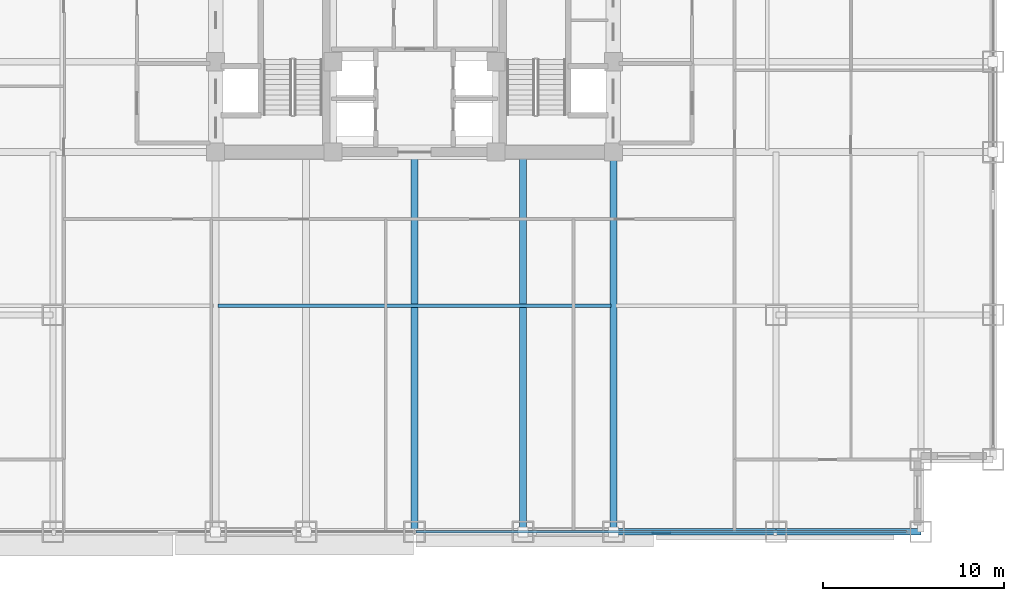
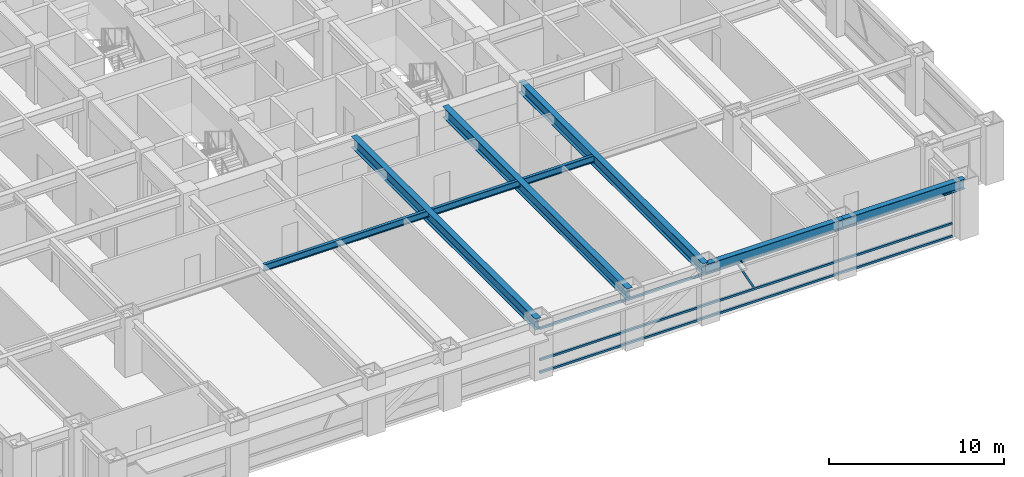
# One storey, part 5 of 32: 6 beams, 4 members, 1 element without a shape of its own.
"""IFC4 building model written with IfcOpenShell, lengths in metres."""

from ifc_helpers import new_model, si_unit, direction, frame, origin, origin_2d, place, context, subcontext, project, spatial, hollow_rectangle, i_section, extrude, source, transform, mapped, material, material_profile, profile_set, type_object, element, aggregate, save


model = new_model("IFC4")

# Units and contexts
model_context = context("Model", 3, precision=1e-05, world=origin(), true_north=direction((0.0, 1.0)))
body_context = subcontext(model_context, "Body", "Model", "MODEL_VIEW")
ifc_project = project(units=[si_unit("LENGTHUNIT", "METRE"), si_unit("AREAUNIT", "SQUARE_METRE"), si_unit("VOLUMEUNIT", "CUBIC_METRE"), si_unit("PLANEANGLEUNIT", "RADIAN"), si_unit("MASSUNIT", "GRAM", prefix="KILO")], contexts=[model_context])

# Site, building, storey
site_placement = place(None, origin())
site = spatial("IfcSite", under=ifc_project, at=site_placement, CompositionType="ELEMENT")
building_placement = place(site_placement, origin())
building = spatial("IfcBuilding", under=site, at=building_placement, Name="Khorayat Bourse Tower", CompositionType="ELEMENT")
storey_placement = place(building_placement, frame((0.0, 0.0, 136.5)))
storey = spatial("IfcBuildingStorey", under=building, at=storey_placement, Name="L31", CompositionType="ELEMENT", Elevation=136.5)

# Beams
ifc_material_1 = material(Name="Steel ASTM A992 Grade 50", Category="steel")
ifc_material_profile_1 = material_profile(ifc_material_1, i_section(OverallWidth=0.35498046875, OverallDepth=0.695068359375, WebThickness=0.015380859375, FlangeThickness=0.02490234375, FilletRadius=0.01806640625, at=origin_2d()), Name="W690X217")
ifc_profile_set_1 = profile_set([ifc_material_profile_1], Name="Steel ASTM A992 Grade 50")
beam_type_1 = type_object("IfcBeamType", Name="BM-SPAN-690", PredefinedType="SPANDREL", material=ifc_profile_set_1)
shared_shape_1 = source(origin(), body_context, "Body", "SweptSolid", [
    extrude(i_section(OverallWidth=0.35498046875, OverallDepth=0.695068359375, WebThickness=0.015380859375, FlangeThickness=0.02490234375, FilletRadius=0.01806640625, at=origin_2d()), origin(), (0.0, 0.0, 1.0), 9.0),
])
beam_1_placement = place(storey_placement, frame((11.0, -32.0, 3.492431640625), z_axis=(1.0, 0.0, 0.0), x_axis=(0.0, 1.0, 0.0)))
element("IfcBeam", 1, at=beam_1_placement, inside=storey, type_object=beam_type_1, Name="L31 BM-SPAN-690 BM-L31-SPN-030", PredefinedType="SPANDREL", context=body_context, shape_type="MappedRepresentation", body=[
    mapped(shared_shape_1, transform((0.0, 0.0, 0.0), scale=1.0)),
])
ifc_material_profile_2 = material_profile(ifc_material_1, i_section(OverallWidth=0.194091796875, OverallDepth=0.468994140625, WebThickness=0.0126953125, FlangeThickness=0.0205078125, FilletRadius=0.012939453125, at=origin_2d()), Name="W460X106")
ifc_profile_set_2 = profile_set([ifc_material_profile_2], Name="Steel ASTM A992 Grade 50")
beam_type_2 = type_object("IfcBeamType", Name="BM-JOIST-460", PredefinedType="JOIST", material=ifc_profile_set_2)
shared_shape_2 = source(origin(), body_context, "Body", "SweptSolid", [
    extrude(i_section(OverallWidth=0.194091796875, OverallDepth=0.468994140625, WebThickness=0.0126953125, FlangeThickness=0.0205078125, FilletRadius=0.012939453125, at=origin_2d()), origin(), (0.0, 0.0, 1.0), 21.740234375),
])
beam_2_placement = place(storey_placement, frame((-10.8701171875, -19.5, 3.60546875), z_axis=(1.0, 0.0, 0.0), x_axis=(0.0, 1.0, 0.0)))
element("IfcBeam", 2, at=beam_2_placement, inside=storey, type_object=beam_type_2, Name="L31 BM-JOIST-460 BM-L31-JSTX-097", PredefinedType="JOIST", context=body_context, shape_type="MappedRepresentation", body=[
    mapped(shared_shape_2, transform((0.0, 0.0, 0.0), scale=1.0)),
])
shared_shape_3 = source(origin(), body_context, "Body", "SweptSolid", [
    extrude(i_section(OverallWidth=0.35498046875, OverallDepth=0.695068359375, WebThickness=0.015380859375, FlangeThickness=0.02490234375, FilletRadius=0.01806640625, at=origin_2d()), origin(), (0.0, 0.0, 1.0), 8.0),
])
beam_3_placement = place(storey_placement, frame((20.0, -32.0, 3.492431640625), z_axis=(1.0, 0.0, 0.0), x_axis=(0.0, 1.0, 0.0)))
element("IfcBeam", 3, at=beam_3_placement, inside=storey, type_object=beam_type_1, Name="L31 BM-SPAN-690 BM-L31-SPN-031", PredefinedType="SPANDREL", context=body_context, shape_type="MappedRepresentation", body=[
    mapped(shared_shape_3, transform((0.0, 0.0, 0.0), scale=1.0)),
])
ifc_material_profile_3 = material_profile(ifc_material_1, i_section(OverallWidth=0.381103515625, OverallDepth=0.77294921875, WebThickness=0.0166015625, FlangeThickness=0.027587890625, FilletRadius=0.01806640625, at=origin_2d()), Name="W760X257")
ifc_profile_set_3 = profile_set([ifc_material_profile_3], Name="Steel ASTM A992 Grade 50")
beam_type_3 = type_object("IfcBeamType", Name="BM-GIRD-760", PredefinedType="BEAM", material=ifc_profile_set_3)
shared_shape_4 = source(origin(), body_context, "Body", "SweptSolid", [
    extrude(i_section(OverallWidth=0.381103515625, OverallDepth=0.77294921875, WebThickness=0.0166015625, FlangeThickness=0.027587890625, FilletRadius=0.01806640625, at=origin_2d()), origin(), (0.0, 0.0, 1.0), 21.0),
])
for number, where, z_axis, x_axis, name in (
    (4, (0.0, -32.0, 3.45361328125), (0.0, 1.0, 0.0), (-1.0, 0.0, 0.0), "L31 BM-GIRD-760 BM-L31-RADY-069"),
    (5, (6.0, -32.0, 3.45361328125), (0.0, 1.0, 0.0), (-1.0, 0.0, 0.0), "L31 BM-GIRD-760 BM-L31-RADY-071"),
    (6, (11.0, -32.0, 3.45361328125), (0.0, 1.0, 0.0), (-1.0, 0.0, 0.0), "L31 BM-GIRD-760 BM-L31-RADY-073"),
):
    element("IfcBeam", number, at=place(storey_placement, frame(where, z_axis=z_axis, x_axis=x_axis)), inside=storey, type_object=beam_type_3, Name=name, PredefinedType="BEAM", context=body_context, shape_type="MappedRepresentation", body=[
        mapped(shared_shape_4, transform((0.0, 0.0, 0.0), scale=1.0)),
    ])

# Curtain wall, members
ifc_material_2 = material(Name="Aluminium EN AW-6063 T6", Category="aluminium")
curtain_wall_type = type_object("IfcCurtainWallType", Name="CW-SYS-02", PredefinedType="NOTDEFINED", material=ifc_material_2)
curtain_wall_placement = place(storey_placement, origin())
curtain_wall = element("IfcCurtainWall", 7, at=curtain_wall_placement, inside=storey, type_object=curtain_wall_type, Name="L31 Curtain Wall CW-L31-S1", PredefinedType="NOTDEFINED")
ifc_material_profile_4 = material_profile(ifc_material_2, hollow_rectangle(XDim=0.139892578125, YDim=0.139892578125, WallThickness=0.006103515625, at=origin_2d()), Name="ALU 140x140x6")
ifc_profile_set_4 = profile_set([ifc_material_profile_4], Name="Aluminium EN AW-6063 T6")
member_type_1 = type_object("IfcMemberType", Name="CWT-HORZ-140", PredefinedType="USERDEFINED", material=ifc_profile_set_4)
shared_shape_5 = source(origin(), body_context, "Body", "SweptSolid", [
    extrude(hollow_rectangle(XDim=0.139892578125, YDim=0.139892578125, WallThickness=0.006103515625, at=origin_2d()), origin(), (0.0, 0.0, 1.0), 27.139892578125),
])
member_1_placement = place(storey_placement, frame((0.070068359375, -32.0, 0.070068359375), z_axis=(1.0, 0.0, 0.0), x_axis=(0.0, 1.0, 0.0)))
member_1 = element("IfcMember", 8, at=member_1_placement, type_object=member_type_1, Name="CW-L31-S1 Horizontal Transom 2-1", ObjectType="TRANSOM", PredefinedType="USERDEFINED", context=body_context, shape_type="MappedRepresentation", body=[
    mapped(shared_shape_5, transform((0.0, 0.0, 0.0), scale=1.0)),
])
member_2_placement = place(storey_placement, frame((0.070068359375, -32.0, 0.949951171875), z_axis=(1.0, 0.0, 0.0), x_axis=(0.0, 1.0, 0.0)))
member_2 = element("IfcMember", 9, at=member_2_placement, type_object=member_type_1, Name="CW-L31-S1 Horizontal Transom 2-2", ObjectType="TRANSOM", PredefinedType="USERDEFINED", context=body_context, shape_type="MappedRepresentation", body=[
    mapped(shared_shape_5, transform((0.0, 0.0, 0.0), scale=1.0)),
])
member_3_placement = place(storey_placement, frame((0.070068359375, -32.0, 3.1201171875), z_axis=(1.0, 0.0, 0.0), x_axis=(0.0, 1.0, 0.0)))
member_3 = element("IfcMember", 10, at=member_3_placement, type_object=member_type_1, Name="CW-L31-S1 Horizontal Transom 2-3", ObjectType="TRANSOM", PredefinedType="USERDEFINED", context=body_context, shape_type="MappedRepresentation", body=[
    mapped(shared_shape_5, transform((0.0, 0.0, 0.0), scale=1.0)),
])
ifc_material_profile_5 = material_profile(ifc_material_2, hollow_rectangle(XDim=0.1201171875, YDim=0.1201171875, WallThickness=0.0048828125, at=origin_2d()), Name="ALU 120x120x5")
ifc_profile_set_5 = profile_set([ifc_material_profile_5], Name="Aluminium EN AW-6063 T6")
member_type_2 = type_object("IfcMemberType", Name="CWM-DIAG-120", PredefinedType="MULLION", material=ifc_profile_set_5)
shared_shape_6 = source(origin(), body_context, "Body", "SweptSolid", [
    extrude(hollow_rectangle(XDim=0.1201171875, YDim=0.1201171875, WallThickness=0.0048828125, at=origin_2d()), origin(), (0.0, 0.0, 1.0), 2.113037109375),
])
member_4_placement = place(storey_placement, frame((14.132080078125, -32.0, 1.10009765625), z_axis=(-0.465741670874, 0.0, 0.884920728659), x_axis=(0.0, -1.0, 0.0)))
member_4 = element("IfcMember", 11, at=member_4_placement, type_object=member_type_2, Name="CW-L31-S1 Faceted Diagonal Mullion 2", PredefinedType="MULLION", context=body_context, shape_type="MappedRepresentation", body=[
    mapped(shared_shape_6, transform((0.0, 0.0, 0.0), scale=1.0)),
])
aggregate(curtain_wall, [member_1, member_2, member_3, member_4])

save(model, "model.ifc")
